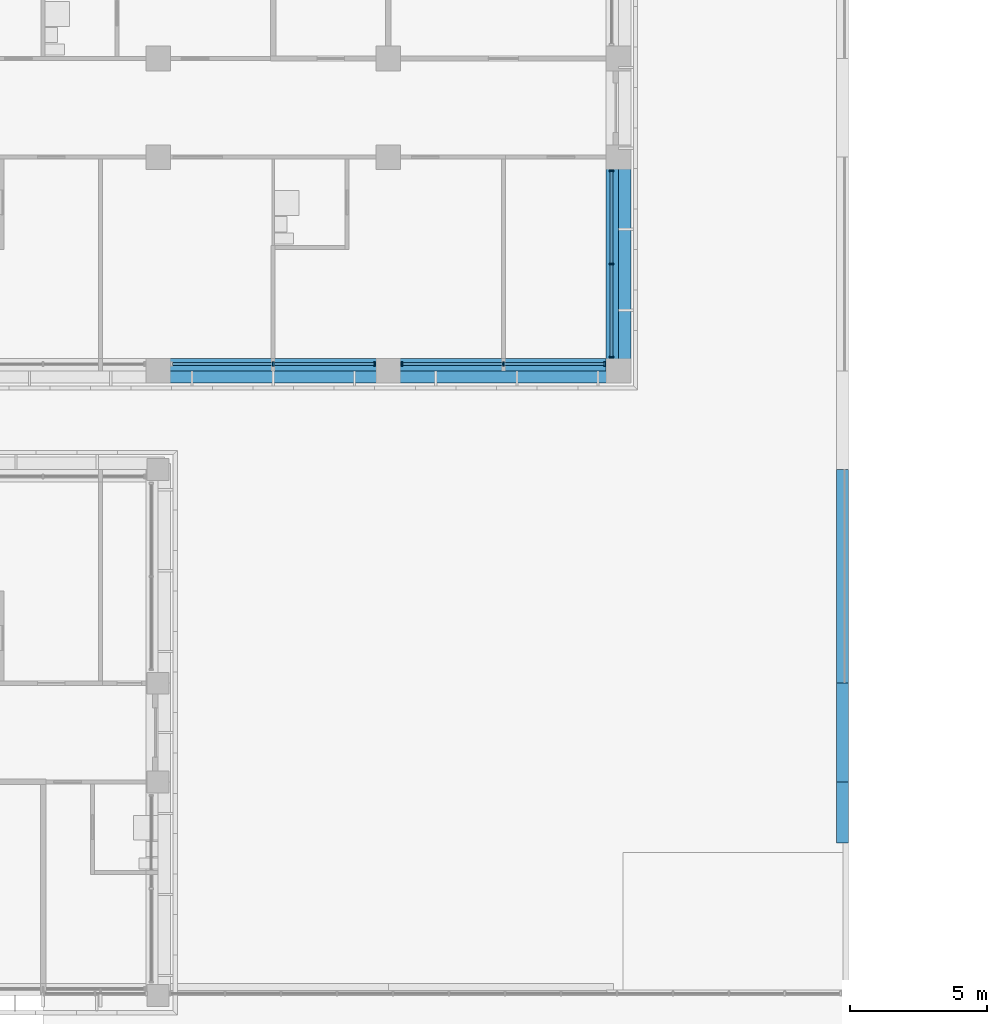
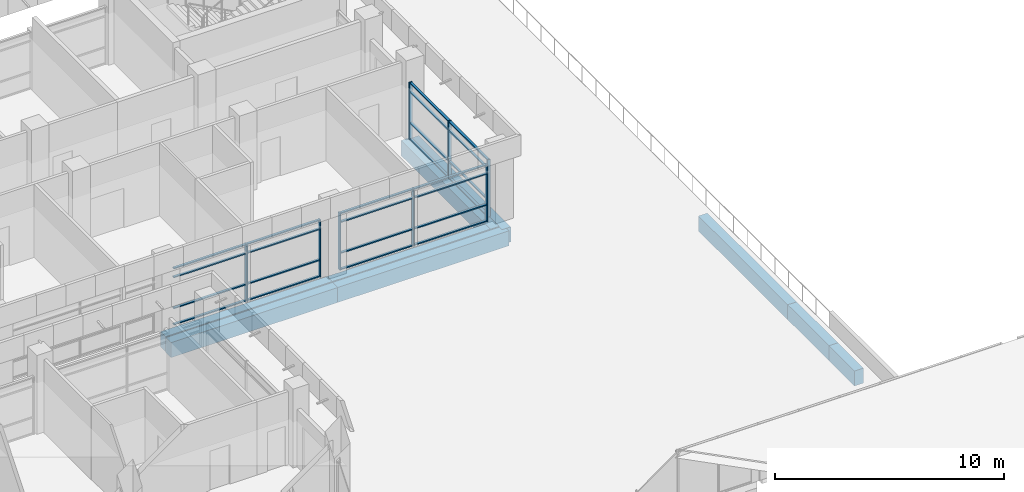
# One storey, part 40 of 137: 32 members, 9 beams, 3 elements without a shape of their own.
"""IFC4 building model written with IfcOpenShell, lengths in metres."""

from ifc_helpers import new_model, si_unit, direction, frame, origin, origin_2d, place, context, subcontext, project, spatial, rectangle, extrude, material, material_profile, profile_set, type_object, element, aggregate, save


model = new_model("IFC4")

# Units and contexts
model_context = context("Model", 3, precision=1e-05, world=origin(), true_north=direction((0.0, 1.0)))
body_context = subcontext(model_context, "Body", "Model", "MODEL_VIEW")
ifc_project = project(units=[si_unit("LENGTHUNIT", "METRE"), si_unit("AREAUNIT", "SQUARE_METRE"), si_unit("VOLUMEUNIT", "CUBIC_METRE"), si_unit("PLANEANGLEUNIT", "RADIAN"), si_unit("MASSUNIT", "GRAM", prefix="KILO")], contexts=[model_context])

# Site, building, storey
site_placement = place(None, origin())
site = spatial("IfcSite", under=ifc_project, at=site_placement, CompositionType="ELEMENT")
building_placement = place(site_placement, origin())
building = spatial("IfcBuilding", under=site, at=building_placement, Name="Bougainvillea Quay General Hospital", CompositionType="ELEMENT")
storey_placement = place(building_placement, frame((0.0, 0.0, 16.800048828125)))
storey = spatial("IfcBuildingStorey", under=building, at=storey_placement, Name="L03", CompositionType="ELEMENT", Elevation=16.800048828125)

# Curtain wall, members
ifc_material_1 = material(Name="Aluminium curtain wall system, powder-coated glazed", Category="aluminium")
curtain_wall_type_1 = type_object("IfcCurtainWallType", Name="Unitised curtain wall CW-3730", PredefinedType="NOTDEFINED", material=ifc_material_1)
curtain_wall_1_placement = place(storey_placement, origin())
curtain_wall_1 = element("IfcCurtainWall", 1, at=curtain_wall_1_placement, inside=storey, type_object=curtain_wall_type_1, Name="CW-4200 01", PredefinedType="NOTDEFINED")
ifc_material_2 = material(Name="Aluminium mullion, powder-coated charcoal", Category="aluminium")
ifc_material_profile_1 = material_profile(ifc_material_2, rectangle(XDim=0.159912109375, YDim=0.06005859375, at=origin_2d()))
ifc_profile_set_1 = profile_set([ifc_material_profile_1], Name="Aluminium mullion, powder-coated charcoal")
member_type_1 = type_object("IfcMemberType", Name="Curtain wall mullion 160x60", PredefinedType="MULLION", material=ifc_profile_set_1)
member_1_placement = place(storey_placement, frame((172.199951171875, 140.64990234375, 0.0), z_axis=(0.0, 0.0, 1.0), x_axis=(0.0, 1.0, 0.0)))
member_1 = element("IfcMember", 2, at=member_1_placement, type_object=member_type_1, Name="CW-4200 mullion 2", PredefinedType="MULLION", context=body_context, shape_type="SweptSolid", body=[
    extrude(rectangle(XDim=0.159912109375, YDim=0.06005859375, at=origin_2d()), origin(), (0.0, 0.0, 1.0), 3.050048828125),
])
member_2_placement = place(storey_placement, frame((175.89990234375, 140.64990234375, 0.0), z_axis=(0.0, 0.0, 1.0), x_axis=(0.0, 1.0, 0.0)))
member_2 = element("IfcMember", 3, at=member_2_placement, type_object=member_type_1, Name="CW-4200 mullion 3", PredefinedType="MULLION", context=body_context, shape_type="SweptSolid", body=[
    extrude(rectangle(XDim=0.159912109375, YDim=0.06005859375, at=origin_2d()), origin(), (0.0, 0.0, 1.0), 3.050048828125),
])

curtain_wall_2_placement = place(storey_placement, origin())
curtain_wall_2 = element("IfcCurtainWall", 4, at=curtain_wall_2_placement, inside=storey, type_object=curtain_wall_type_1, Name="CW-4200 02", PredefinedType="NOTDEFINED")
member_3_placement = place(storey_placement, frame((176.89990234375, 140.64990234375, 0.0), z_axis=(0.0, 0.0, 1.0), x_axis=(0.0, 1.0, 0.0)))
member_3 = element("IfcMember", 5, at=member_3_placement, type_object=member_type_1, Name="CW-4200 mullion 1", PredefinedType="MULLION", context=body_context, shape_type="SweptSolid", body=[
    extrude(rectangle(XDim=0.159912109375, YDim=0.06005859375, at=origin_2d()), origin(), (0.0, 0.0, 1.0), 3.050048828125),
])
member_4_placement = place(storey_placement, frame((180.60009765625, 140.64990234375, 0.0), z_axis=(0.0, 0.0, 1.0), x_axis=(0.0, 1.0, 0.0)))
member_4 = element("IfcMember", 6, at=member_4_placement, type_object=member_type_1, Name="CW-4200 mullion 2", PredefinedType="MULLION", context=body_context, shape_type="SweptSolid", body=[
    extrude(rectangle(XDim=0.159912109375, YDim=0.06005859375, at=origin_2d()), origin(), (0.0, 0.0, 1.0), 3.050048828125),
])
member_5_placement = place(storey_placement, frame((184.300048828125, 140.64990234375, 0.0), z_axis=(0.0, 0.0, 1.0), x_axis=(0.0, 1.0, 0.0)))
member_5 = element("IfcMember", 7, at=member_5_placement, type_object=member_type_1, Name="CW-4200 mullion 3", PredefinedType="MULLION", context=body_context, shape_type="SweptSolid", body=[
    extrude(rectangle(XDim=0.159912109375, YDim=0.06005859375, at=origin_2d()), origin(), (0.0, 0.0, 1.0), 3.050048828125),
])

curtain_wall_type_2 = type_object("IfcCurtainWallType", Name="Unitised curtain wall CW-3430", PredefinedType="NOTDEFINED", material=ifc_material_1)
curtain_wall_3_placement = place(storey_placement, origin())
curtain_wall_3 = element("IfcCurtainWall", 8, at=curtain_wall_3_placement, inside=storey, type_object=curtain_wall_type_2, Name="CW-4200 00", PredefinedType="NOTDEFINED")
member_6_placement = place(storey_placement, frame((184.550048828125, 140.89990234375, 0.0), z_axis=(0.0, 0.0, 1.0), x_axis=(-1.0, 0.0, 0.0)))
member_6 = element("IfcMember", 9, at=member_6_placement, type_object=member_type_1, Name="CW-4200 mullion 1", PredefinedType="MULLION", context=body_context, shape_type="SweptSolid", body=[
    extrude(rectangle(XDim=0.159912109375, YDim=0.06005859375, at=origin_2d()), origin(), (0.0, 0.0, 1.0), 3.050048828125),
])
member_7_placement = place(storey_placement, frame((184.550048828125, 144.300048828125, 0.0), z_axis=(0.0, 0.0, 1.0), x_axis=(-1.0, 0.0, 0.0)))
member_7 = element("IfcMember", 10, at=member_7_placement, type_object=member_type_1, Name="CW-4200 mullion 2", PredefinedType="MULLION", context=body_context, shape_type="SweptSolid", body=[
    extrude(rectangle(XDim=0.159912109375, YDim=0.06005859375, at=origin_2d()), origin(), (0.0, 0.0, 1.0), 3.050048828125),
])
member_8_placement = place(storey_placement, frame((184.550048828125, 147.699951171875, 0.0), z_axis=(0.0, 0.0, 1.0), x_axis=(-1.0, 0.0, 0.0)))
member_8 = element("IfcMember", 11, at=member_8_placement, type_object=member_type_1, Name="CW-4200 mullion 3", PredefinedType="MULLION", context=body_context, shape_type="SweptSolid", body=[
    extrude(rectangle(XDim=0.159912109375, YDim=0.06005859375, at=origin_2d()), origin(), (0.0, 0.0, 1.0), 3.050048828125),
])

# Member
ifc_material_3 = material(Name="Aluminium transom, powder-coated charcoal", Category="aluminium")
ifc_material_profile_2 = material_profile(ifc_material_3, rectangle(XDim=0.1201171875, YDim=0.06005859375, at=origin_2d()))
ifc_profile_set_2 = profile_set([ifc_material_profile_2], Name="Aluminium transom, powder-coated charcoal")
member_type_2 = type_object("IfcMemberType", Name="Curtain wall transom 120x60", PredefinedType="USERDEFINED", material=ifc_profile_set_2)
member_9_placement = place(storey_placement, frame((168.530029296875, 140.64990234375, 0.030029296875), z_axis=(1.0, 0.0, 0.0), x_axis=(0.0, 1.0, 0.0)))
member_9 = element("IfcMember", 12, at=member_9_placement, type_object=member_type_2, Name="CW-4200 transom 1.1", ObjectType="TRANSOM", PredefinedType="USERDEFINED", context=body_context, shape_type="SweptSolid", body=[
    extrude(rectangle(XDim=0.1201171875, YDim=0.06005859375, at=origin_2d()), origin(), (0.0, 0.0, 1.0), 3.639892578125),
])

member_10_placement = place(storey_placement, frame((168.530029296875, 140.64990234375, 0.89990234375), z_axis=(1.0, 0.0, 0.0), x_axis=(0.0, 1.0, 0.0)))
member_10 = element("IfcMember", 13, at=member_10_placement, type_object=member_type_2, Name="CW-4200 transom 1.2", ObjectType="TRANSOM", PredefinedType="USERDEFINED", context=body_context, shape_type="SweptSolid", body=[
    extrude(rectangle(XDim=0.1201171875, YDim=0.06005859375, at=origin_2d()), origin(), (0.0, 0.0, 1.0), 3.639892578125),
])

member_11_placement = place(storey_placement, frame((168.530029296875, 140.64990234375, 2.550048828125), z_axis=(1.0, 0.0, 0.0), x_axis=(0.0, 1.0, 0.0)))
member_11 = element("IfcMember", 14, at=member_11_placement, type_object=member_type_2, Name="CW-4200 transom 1.3", ObjectType="TRANSOM", PredefinedType="USERDEFINED", context=body_context, shape_type="SweptSolid", body=[
    extrude(rectangle(XDim=0.1201171875, YDim=0.06005859375, at=origin_2d()), origin(), (0.0, 0.0, 1.0), 3.639892578125),
])

member_12_placement = place(storey_placement, frame((168.530029296875, 140.64990234375, 3.02001953125), z_axis=(1.0, 0.0, 0.0), x_axis=(0.0, 1.0, 0.0)))
member_12 = element("IfcMember", 15, at=member_12_placement, type_object=member_type_2, Name="CW-4200 transom 1.4", ObjectType="TRANSOM", PredefinedType="USERDEFINED", context=body_context, shape_type="SweptSolid", body=[
    extrude(rectangle(XDim=0.1201171875, YDim=0.06005859375, at=origin_2d()), origin(), (0.0, 0.0, 1.0), 3.639892578125),
])

member_13_placement = place(storey_placement, frame((172.22998046875, 140.64990234375, 0.030029296875), z_axis=(1.0, 0.0, 0.0), x_axis=(0.0, 1.0, 0.0)))
member_13 = element("IfcMember", 16, at=member_13_placement, type_object=member_type_2, Name="CW-4200 transom 2.1", ObjectType="TRANSOM", PredefinedType="USERDEFINED", context=body_context, shape_type="SweptSolid", body=[
    extrude(rectangle(XDim=0.1201171875, YDim=0.06005859375, at=origin_2d()), origin(), (0.0, 0.0, 1.0), 3.64013671875),
])

member_14_placement = place(storey_placement, frame((172.22998046875, 140.64990234375, 0.89990234375), z_axis=(1.0, 0.0, 0.0), x_axis=(0.0, 1.0, 0.0)))
member_14 = element("IfcMember", 17, at=member_14_placement, type_object=member_type_2, Name="CW-4200 transom 2.2", ObjectType="TRANSOM", PredefinedType="USERDEFINED", context=body_context, shape_type="SweptSolid", body=[
    extrude(rectangle(XDim=0.1201171875, YDim=0.06005859375, at=origin_2d()), origin(), (0.0, 0.0, 1.0), 3.64013671875),
])

member_15_placement = place(storey_placement, frame((172.22998046875, 140.64990234375, 2.550048828125), z_axis=(1.0, 0.0, 0.0), x_axis=(0.0, 1.0, 0.0)))
member_15 = element("IfcMember", 18, at=member_15_placement, type_object=member_type_2, Name="CW-4200 transom 2.3", ObjectType="TRANSOM", PredefinedType="USERDEFINED", context=body_context, shape_type="SweptSolid", body=[
    extrude(rectangle(XDim=0.1201171875, YDim=0.06005859375, at=origin_2d()), origin(), (0.0, 0.0, 1.0), 3.64013671875),
])

member_16_placement = place(storey_placement, frame((172.22998046875, 140.64990234375, 3.02001953125), z_axis=(1.0, 0.0, 0.0), x_axis=(0.0, 1.0, 0.0)))
member_16 = element("IfcMember", 19, at=member_16_placement, type_object=member_type_2, Name="CW-4200 transom 2.4", ObjectType="TRANSOM", PredefinedType="USERDEFINED", context=body_context, shape_type="SweptSolid", body=[
    extrude(rectangle(XDim=0.1201171875, YDim=0.06005859375, at=origin_2d()), origin(), (0.0, 0.0, 1.0), 3.64013671875),
])

aggregate(curtain_wall_1, [member_1, member_2, member_9, member_10, member_11, member_12, member_13, member_14, member_15, member_16])

member_17_placement = place(storey_placement, frame((176.929931640625, 140.64990234375, 0.030029296875), z_axis=(1.0, 0.0, 0.0), x_axis=(0.0, 1.0, 0.0)))
member_17 = element("IfcMember", 20, at=member_17_placement, type_object=member_type_2, Name="CW-4200 transom 1.1", ObjectType="TRANSOM", PredefinedType="USERDEFINED", context=body_context, shape_type="SweptSolid", body=[
    extrude(rectangle(XDim=0.1201171875, YDim=0.06005859375, at=origin_2d()), origin(), (0.0, 0.0, 1.0), 3.64013671875),
])

member_18_placement = place(storey_placement, frame((176.929931640625, 140.64990234375, 0.89990234375), z_axis=(1.0, 0.0, 0.0), x_axis=(0.0, 1.0, 0.0)))
member_18 = element("IfcMember", 21, at=member_18_placement, type_object=member_type_2, Name="CW-4200 transom 1.2", ObjectType="TRANSOM", PredefinedType="USERDEFINED", context=body_context, shape_type="SweptSolid", body=[
    extrude(rectangle(XDim=0.1201171875, YDim=0.06005859375, at=origin_2d()), origin(), (0.0, 0.0, 1.0), 3.64013671875),
])

member_19_placement = place(storey_placement, frame((176.929931640625, 140.64990234375, 2.550048828125), z_axis=(1.0, 0.0, 0.0), x_axis=(0.0, 1.0, 0.0)))
member_19 = element("IfcMember", 22, at=member_19_placement, type_object=member_type_2, Name="CW-4200 transom 1.3", ObjectType="TRANSOM", PredefinedType="USERDEFINED", context=body_context, shape_type="SweptSolid", body=[
    extrude(rectangle(XDim=0.1201171875, YDim=0.06005859375, at=origin_2d()), origin(), (0.0, 0.0, 1.0), 3.64013671875),
])

member_20_placement = place(storey_placement, frame((176.929931640625, 140.64990234375, 3.02001953125), z_axis=(1.0, 0.0, 0.0), x_axis=(0.0, 1.0, 0.0)))
member_20 = element("IfcMember", 23, at=member_20_placement, type_object=member_type_2, Name="CW-4200 transom 1.4", ObjectType="TRANSOM", PredefinedType="USERDEFINED", context=body_context, shape_type="SweptSolid", body=[
    extrude(rectangle(XDim=0.1201171875, YDim=0.06005859375, at=origin_2d()), origin(), (0.0, 0.0, 1.0), 3.64013671875),
])

member_21_placement = place(storey_placement, frame((180.6298828125, 140.64990234375, 0.030029296875), z_axis=(1.0, 0.0, 0.0), x_axis=(0.0, 1.0, 0.0)))
member_21 = element("IfcMember", 24, at=member_21_placement, type_object=member_type_2, Name="CW-4200 transom 2.1", ObjectType="TRANSOM", PredefinedType="USERDEFINED", context=body_context, shape_type="SweptSolid", body=[
    extrude(rectangle(XDim=0.1201171875, YDim=0.06005859375, at=origin_2d()), origin(), (0.0, 0.0, 1.0), 3.64013671875),
])

member_22_placement = place(storey_placement, frame((180.6298828125, 140.64990234375, 0.89990234375), z_axis=(1.0, 0.0, 0.0), x_axis=(0.0, 1.0, 0.0)))
member_22 = element("IfcMember", 25, at=member_22_placement, type_object=member_type_2, Name="CW-4200 transom 2.2", ObjectType="TRANSOM", PredefinedType="USERDEFINED", context=body_context, shape_type="SweptSolid", body=[
    extrude(rectangle(XDim=0.1201171875, YDim=0.06005859375, at=origin_2d()), origin(), (0.0, 0.0, 1.0), 3.64013671875),
])

member_23_placement = place(storey_placement, frame((180.6298828125, 140.64990234375, 2.550048828125), z_axis=(1.0, 0.0, 0.0), x_axis=(0.0, 1.0, 0.0)))
member_23 = element("IfcMember", 26, at=member_23_placement, type_object=member_type_2, Name="CW-4200 transom 2.3", ObjectType="TRANSOM", PredefinedType="USERDEFINED", context=body_context, shape_type="SweptSolid", body=[
    extrude(rectangle(XDim=0.1201171875, YDim=0.06005859375, at=origin_2d()), origin(), (0.0, 0.0, 1.0), 3.64013671875),
])

member_24_placement = place(storey_placement, frame((180.6298828125, 140.64990234375, 3.02001953125), z_axis=(1.0, 0.0, 0.0), x_axis=(0.0, 1.0, 0.0)))
member_24 = element("IfcMember", 27, at=member_24_placement, type_object=member_type_2, Name="CW-4200 transom 2.4", ObjectType="TRANSOM", PredefinedType="USERDEFINED", context=body_context, shape_type="SweptSolid", body=[
    extrude(rectangle(XDim=0.1201171875, YDim=0.06005859375, at=origin_2d()), origin(), (0.0, 0.0, 1.0), 3.64013671875),
])

aggregate(curtain_wall_2, [member_3, member_4, member_5, member_17, member_18, member_19, member_20, member_21, member_22, member_23, member_24])

member_25_placement = place(storey_placement, frame((184.550048828125, 140.929931640625, 0.030029296875), z_axis=(0.0, 1.0, 0.0), x_axis=(-1.0, 0.0, 0.0)))
member_25 = element("IfcMember", 28, at=member_25_placement, type_object=member_type_2, Name="CW-4200 transom 1.1", ObjectType="TRANSOM", PredefinedType="USERDEFINED", context=body_context, shape_type="SweptSolid", body=[
    extrude(rectangle(XDim=0.1201171875, YDim=0.06005859375, at=origin_2d()), origin(), (0.0, 0.0, 1.0), 3.340087890625),
])

member_26_placement = place(storey_placement, frame((184.550048828125, 140.929931640625, 0.89990234375), z_axis=(0.0, 1.0, 0.0), x_axis=(-1.0, 0.0, 0.0)))
member_26 = element("IfcMember", 29, at=member_26_placement, type_object=member_type_2, Name="CW-4200 transom 1.2", ObjectType="TRANSOM", PredefinedType="USERDEFINED", context=body_context, shape_type="SweptSolid", body=[
    extrude(rectangle(XDim=0.1201171875, YDim=0.06005859375, at=origin_2d()), origin(), (0.0, 0.0, 1.0), 3.340087890625),
])

member_27_placement = place(storey_placement, frame((184.550048828125, 140.929931640625, 2.550048828125), z_axis=(0.0, 1.0, 0.0), x_axis=(-1.0, 0.0, 0.0)))
member_27 = element("IfcMember", 30, at=member_27_placement, type_object=member_type_2, Name="CW-4200 transom 1.3", ObjectType="TRANSOM", PredefinedType="USERDEFINED", context=body_context, shape_type="SweptSolid", body=[
    extrude(rectangle(XDim=0.1201171875, YDim=0.06005859375, at=origin_2d()), origin(), (0.0, 0.0, 1.0), 3.340087890625),
])

member_28_placement = place(storey_placement, frame((184.550048828125, 140.929931640625, 3.02001953125), z_axis=(0.0, 1.0, 0.0), x_axis=(-1.0, 0.0, 0.0)))
member_28 = element("IfcMember", 31, at=member_28_placement, type_object=member_type_2, Name="CW-4200 transom 1.4", ObjectType="TRANSOM", PredefinedType="USERDEFINED", context=body_context, shape_type="SweptSolid", body=[
    extrude(rectangle(XDim=0.1201171875, YDim=0.06005859375, at=origin_2d()), origin(), (0.0, 0.0, 1.0), 3.340087890625),
])

member_29_placement = place(storey_placement, frame((184.550048828125, 144.330078125, 0.030029296875), z_axis=(0.0, 1.0, 0.0), x_axis=(-1.0, 0.0, 0.0)))
member_29 = element("IfcMember", 32, at=member_29_placement, type_object=member_type_2, Name="CW-4200 transom 2.1", ObjectType="TRANSOM", PredefinedType="USERDEFINED", context=body_context, shape_type="SweptSolid", body=[
    extrude(rectangle(XDim=0.1201171875, YDim=0.06005859375, at=origin_2d()), origin(), (0.0, 0.0, 1.0), 3.33984375),
])

member_30_placement = place(storey_placement, frame((184.550048828125, 144.330078125, 0.89990234375), z_axis=(0.0, 1.0, 0.0), x_axis=(-1.0, 0.0, 0.0)))
member_30 = element("IfcMember", 33, at=member_30_placement, type_object=member_type_2, Name="CW-4200 transom 2.2", ObjectType="TRANSOM", PredefinedType="USERDEFINED", context=body_context, shape_type="SweptSolid", body=[
    extrude(rectangle(XDim=0.1201171875, YDim=0.06005859375, at=origin_2d()), origin(), (0.0, 0.0, 1.0), 3.33984375),
])

member_31_placement = place(storey_placement, frame((184.550048828125, 144.330078125, 2.550048828125), z_axis=(0.0, 1.0, 0.0), x_axis=(-1.0, 0.0, 0.0)))
member_31 = element("IfcMember", 34, at=member_31_placement, type_object=member_type_2, Name="CW-4200 transom 2.3", ObjectType="TRANSOM", PredefinedType="USERDEFINED", context=body_context, shape_type="SweptSolid", body=[
    extrude(rectangle(XDim=0.1201171875, YDim=0.06005859375, at=origin_2d()), origin(), (0.0, 0.0, 1.0), 3.33984375),
])

member_32_placement = place(storey_placement, frame((184.550048828125, 144.330078125, 3.02001953125), z_axis=(0.0, 1.0, 0.0), x_axis=(-1.0, 0.0, 0.0)))
member_32 = element("IfcMember", 35, at=member_32_placement, type_object=member_type_2, Name="CW-4200 transom 2.4", ObjectType="TRANSOM", PredefinedType="USERDEFINED", context=body_context, shape_type="SweptSolid", body=[
    extrude(rectangle(XDim=0.1201171875, YDim=0.06005859375, at=origin_2d()), origin(), (0.0, 0.0, 1.0), 3.33984375),
])

aggregate(curtain_wall_3, [member_6, member_7, member_8, member_25, member_26, member_27, member_28, member_29, member_30, member_31, member_32])

# Beams
ifc_material_4 = material(Name="Concrete C40", Category="concrete")
ifc_material_profile_3 = material_profile(ifc_material_4, rectangle(XDim=0.449951171875, YDim=0.800048828125, at=origin_2d()))
ifc_profile_set_3 = profile_set([ifc_material_profile_3], Name="Concrete C40")
beam_type = type_object("IfcBeamType", Name="RC BEAM 450x800 C40", PredefinedType="BEAM", material=ifc_profile_set_3)
beam_1_placement = place(storey_placement, frame((168.0, 140.625, -0.699951171875), z_axis=(1.0, 0.0, 0.0), x_axis=(0.0, 1.0, 0.0)))
element("IfcBeam", 36, at=beam_1_placement, inside=storey, type_object=beam_type, Name="Edge beam L03", PredefinedType="BEAM", context=body_context, shape_type="SweptSolid", body=[
    extrude(rectangle(XDim=0.449951171875, YDim=0.800048828125, at=origin_2d()), origin(), (0.0, 0.0, 1.0), 8.39990234375),
])
beam_2_placement = place(storey_placement, frame((176.39990234375, 140.625, -0.699951171875), z_axis=(1.0, 0.0, 0.0), x_axis=(0.0, 1.0, 0.0)))
element("IfcBeam", 37, at=beam_2_placement, inside=storey, type_object=beam_type, Name="Edge beam L03", PredefinedType="BEAM", context=body_context, shape_type="SweptSolid", body=[
    extrude(rectangle(XDim=0.449951171875, YDim=0.800048828125, at=origin_2d()), origin(), (0.0, 0.0, 1.0), 8.400146484375),
])
beam_3_placement = place(storey_placement, frame((184.574951171875, 140.39990234375, -0.699951171875), z_axis=(0.0, 1.0, 0.0), x_axis=(-1.0, 0.0, 0.0)))
element("IfcBeam", 38, at=beam_3_placement, inside=storey, type_object=beam_type, Name="Edge beam L03", PredefinedType="BEAM", context=body_context, shape_type="SweptSolid", body=[
    extrude(rectangle(XDim=0.449951171875, YDim=0.800048828125, at=origin_2d()), origin(), (0.0, 0.0, 1.0), 7.800048828125),
])
beam_4_placement = place(storey_placement, frame((192.97509765625, 123.175048828125, -0.75), z_axis=(0.0, 1.0, 0.0), x_axis=(-1.0, 0.0, 0.0)))
element("IfcBeam", 39, at=beam_4_placement, inside=storey, type_object=beam_type, Name="Edge beam L03", PredefinedType="BEAM", context=body_context, shape_type="SweptSolid", body=[
    extrude(rectangle(XDim=0.449951171875, YDim=0.800048828125, at=origin_2d()), origin(), (0.0, 0.0, 1.0), 2.224853515625),
])
beam_5_placement = place(storey_placement, frame((192.97509765625, 125.39990234375, -0.75), z_axis=(0.0, 1.0, 0.0), x_axis=(-1.0, 0.0, 0.0)))
element("IfcBeam", 40, at=beam_5_placement, inside=storey, type_object=beam_type, Name="Edge beam L03", PredefinedType="BEAM", context=body_context, shape_type="SweptSolid", body=[
    extrude(rectangle(XDim=0.449951171875, YDim=0.800048828125, at=origin_2d()), origin(), (0.0, 0.0, 1.0), 3.60009765625),
])
beam_6_placement = place(storey_placement, frame((192.97509765625, 129.0, -0.75), z_axis=(0.0, 1.0, 0.0), x_axis=(-1.0, 0.0, 0.0)))
element("IfcBeam", 41, at=beam_6_placement, inside=storey, type_object=beam_type, Name="Edge beam L03", PredefinedType="BEAM", context=body_context, shape_type="SweptSolid", body=[
    extrude(rectangle(XDim=0.449951171875, YDim=0.800048828125, at=origin_2d()), origin(), (0.0, 0.0, 1.0), 7.800048828125),
])
beam_7_placement = place(storey_placement, frame((185.02490234375, 148.199951171875, -0.75), z_axis=(0.0, -1.0, 0.0), x_axis=(1.0, 0.0, 0.0)))
element("IfcBeam", 42, at=beam_7_placement, inside=storey, type_object=beam_type, Name="Edge beam L03", PredefinedType="BEAM", context=body_context, shape_type="SweptSolid", body=[
    extrude(rectangle(XDim=0.449951171875, YDim=0.800048828125, at=origin_2d()), origin(), (0.0, 0.0, 1.0), 8.02490234375),
])
beam_8_placement = place(storey_placement, frame((185.02490234375, 140.175048828125, -0.75), z_axis=(-1.0, 0.0, 0.0), x_axis=(0.0, -1.0, 0.0)))
element("IfcBeam", 43, at=beam_8_placement, inside=storey, type_object=beam_type, Name="Edge beam L03", PredefinedType="BEAM", context=body_context, shape_type="SweptSolid", body=[
    extrude(rectangle(XDim=0.449951171875, YDim=0.800048828125, at=origin_2d()), origin(), (0.0, 0.0, 1.0), 8.625),
])
beam_9_placement = place(storey_placement, frame((176.39990234375, 140.175048828125, -0.75), z_axis=(-1.0, 0.0, 0.0), x_axis=(0.0, -1.0, 0.0)))
element("IfcBeam", 44, at=beam_9_placement, inside=storey, type_object=beam_type, Name="Edge beam L03", PredefinedType="BEAM", context=body_context, shape_type="SweptSolid", body=[
    extrude(rectangle(XDim=0.449951171875, YDim=0.800048828125, at=origin_2d()), origin(), (0.0, 0.0, 1.0), 8.39990234375),
])

save(model, "model.ifc")
